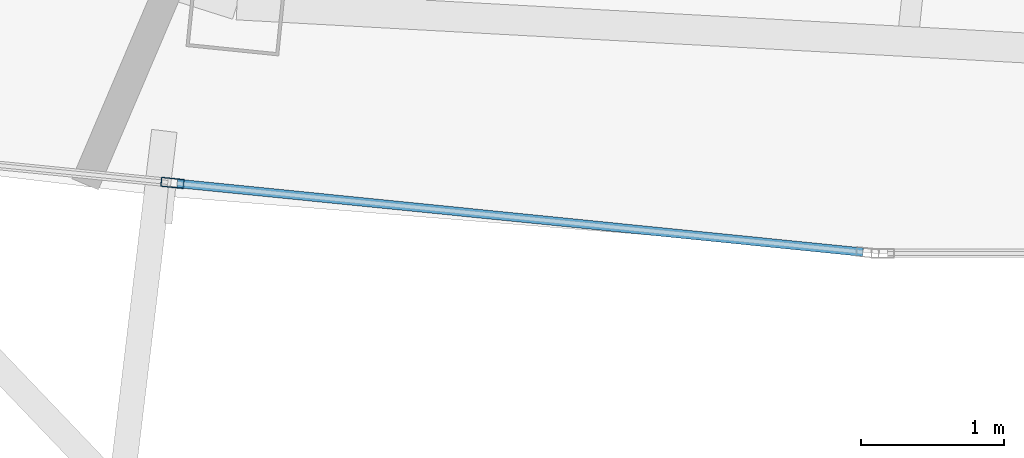
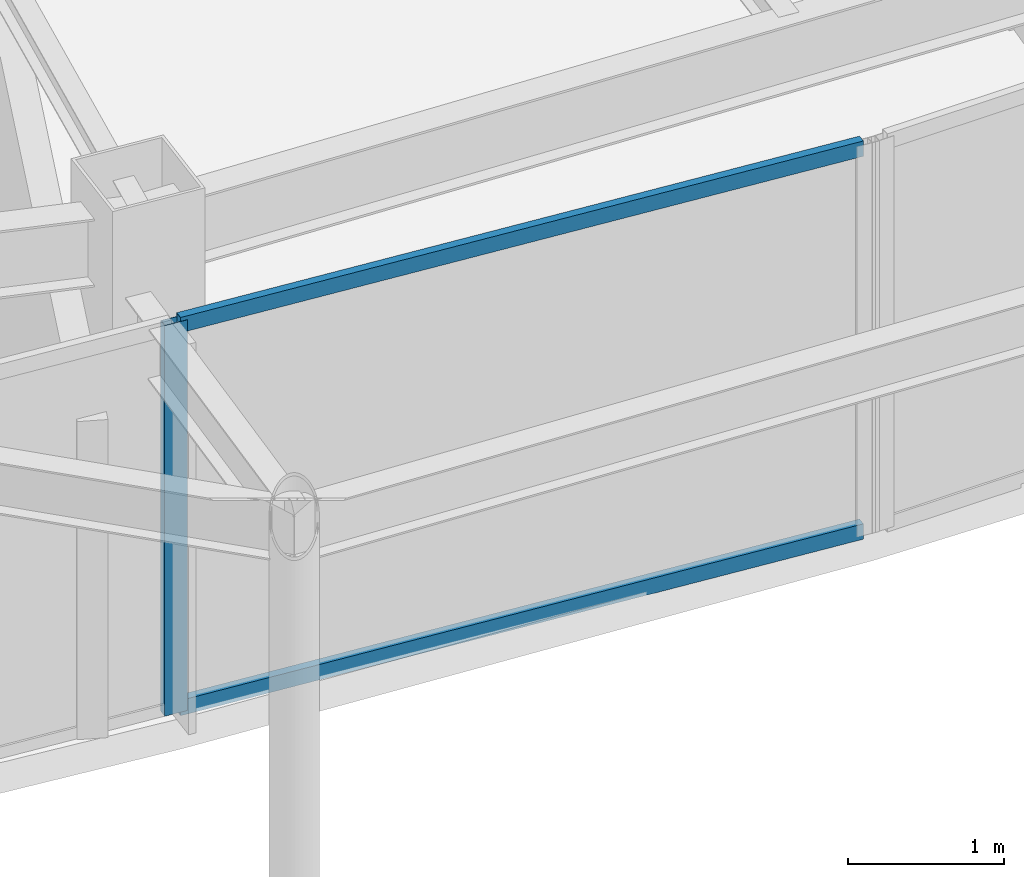
# One storey, part 4 of 28: 3 members, 1 element without a shape of its own.
"""IFC4 building model written with IfcOpenShell, lengths in metres."""

from ifc_helpers import new_model, si_unit, direction, frame, origin, origin_2d, place, context, subcontext, project, spatial, hollow_rectangle, extrude, material, layer, layer_set, material_profile, profile_set, type_object, element, aggregate, save


model = new_model("IFC4")

# Units and contexts
model_context = context("Model", 3, precision=1e-05, world=origin(), true_north=direction((0.0, 1.0)))
body_context = subcontext(model_context, "Body", "Model", "MODEL_VIEW")
ifc_project = project(units=[si_unit("LENGTHUNIT", "METRE"), si_unit("AREAUNIT", "SQUARE_METRE"), si_unit("VOLUMEUNIT", "CUBIC_METRE"), si_unit("PLANEANGLEUNIT", "RADIAN"), si_unit("MASSUNIT", "GRAM", prefix="KILO")], contexts=[model_context])

# Site, building, storey
site_placement = place(None, origin())
site = spatial("IfcSite", under=ifc_project, at=site_placement, CompositionType="ELEMENT")
building_placement = place(site_placement, origin())
building = spatial("IfcBuilding", under=site, at=building_placement, Name="Orvanel Arch Residences", CompositionType="ELEMENT")
storey_placement = place(building_placement, frame((0.0, 0.0, 260.14990234375)))
storey = spatial("IfcBuildingStorey", under=building, at=storey_placement, Name="L74", CompositionType="ELEMENT", Elevation=260.14990234375)

# Curtain wall, members
ifc_material = material(Name="Bronze-anodised aluminium AA6063-T6", Category="aluminium")
ifc_layer = layer(ifc_material, 0.175048828125)
ifc_layer_set = layer_set([ifc_layer], Name="Bronze-anodised aluminium AA6063-T6")
curtain_wall_type = type_object("IfcCurtainWallType", Name="CW4-HI-SYS", PredefinedType="NOTDEFINED", material=ifc_layer_set)
curtain_wall_placement = place(storey_placement, origin())
curtain_wall = element("IfcCurtainWall", 1, at=curtain_wall_placement, inside=storey, type_object=curtain_wall_type, Name="L74 CW4-HI-SYS Unitised Curtain Wall", PredefinedType="NOTDEFINED")
ifc_material_profile_1 = material_profile(ifc_material, hollow_rectangle(XDim=0.06494140625, YDim=0.159912109375, WallThickness=0.00390625, at=origin_2d()), Name="ALU160x65x4")
ifc_profile_set_1 = profile_set([ifc_material_profile_1], Name="Bronze-anodised aluminium AA6063-T6")
member_type_1 = type_object("IfcMemberType", Name="MUL-160x65", PredefinedType="MULLION", material=ifc_profile_set_1)
member_1_placement = place(storey_placement, frame((23.198486328125, 6.113525390625, 0.0), z_axis=(0.0, 0.0, 1.0), x_axis=(0.099796405352, 0.995007878099, 0.0)))
member_1 = element("IfcMember", 2, at=member_1_placement, type_object=member_type_1, Name="CW-S4 mullion 2", PredefinedType="MULLION", context=body_context, shape_type="SweptSolid", body=[
    extrude(hollow_rectangle(XDim=0.06494140625, YDim=0.159912109375, WallThickness=0.00390625, at=origin_2d()), origin(), (0.0, 0.0, 1.0), 3.06005859375),
])
ifc_material_profile_2 = material_profile(ifc_material, hollow_rectangle(XDim=0.06005859375, YDim=0.1201171875, WallThickness=0.00341796875, at=origin_2d()), Name="ALU120x60x3.5")
ifc_profile_set_2 = profile_set([ifc_material_profile_2], Name="Bronze-anodised aluminium AA6063-T6")
member_type_2 = type_object("IfcMemberType", Name="TRN-120x60", PredefinedType="USERDEFINED", material=ifc_profile_set_2)
member_2_placement = place(storey_placement, frame((23.23095703125, 6.1103515625, 0.030029296875), z_axis=(0.995003445039, -0.099840594751, 0.0), x_axis=(0.099840594751, 0.995003445039, 0.0)))
member_2 = element("IfcMember", 3, at=member_2_placement, type_object=member_type_2, Name="CW-S4 transom 2.1", ObjectType="TRANSOM", PredefinedType="USERDEFINED", context=body_context, shape_type="SweptSolid", body=[
    extrude(hollow_rectangle(XDim=0.06005859375, YDim=0.1201171875, WallThickness=0.00341796875, at=origin_2d()), origin(), (0.0, 0.0, 1.0), 4.807373046875),
])
member_3_placement = place(storey_placement, frame((23.23095703125, 6.1103515625, 3.030029296875), z_axis=(0.995003445039, -0.099840594751, 0.0), x_axis=(0.099840594751, 0.995003445039, 0.0)))
member_3 = element("IfcMember", 4, at=member_3_placement, type_object=member_type_2, Name="CW-S4 transom 2.2", ObjectType="TRANSOM", PredefinedType="USERDEFINED", context=body_context, shape_type="SweptSolid", body=[
    extrude(hollow_rectangle(XDim=0.06005859375, YDim=0.1201171875, WallThickness=0.00341796875, at=origin_2d()), origin(), (0.0, 0.0, 1.0), 4.807373046875),
])
aggregate(curtain_wall, [member_1, member_2, member_3])

save(model, "model.ifc")
